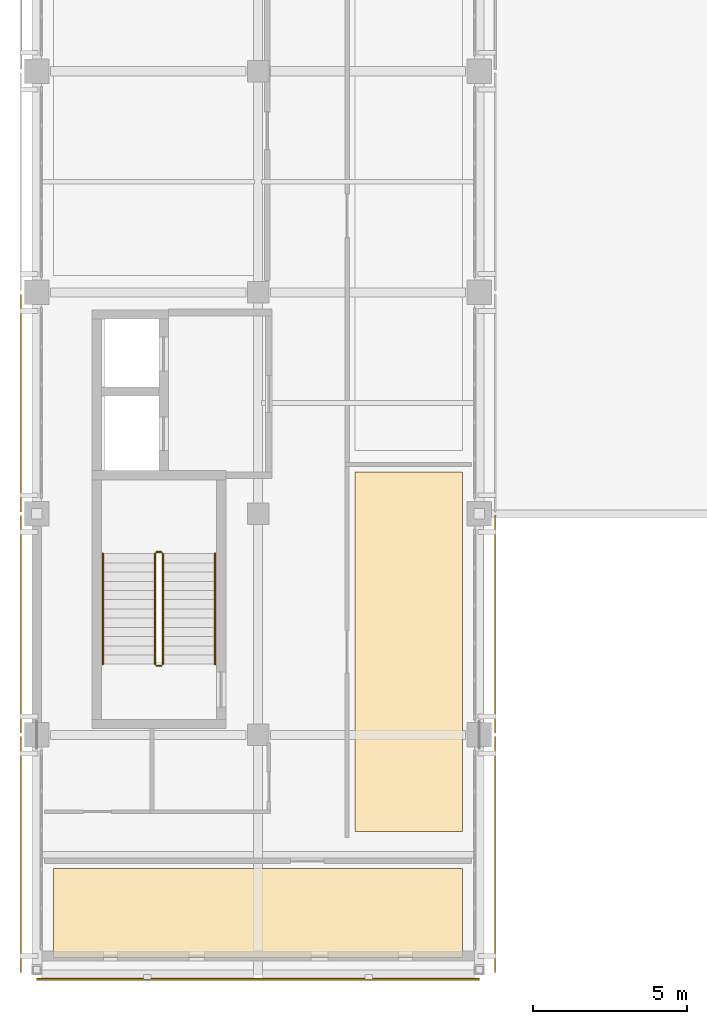
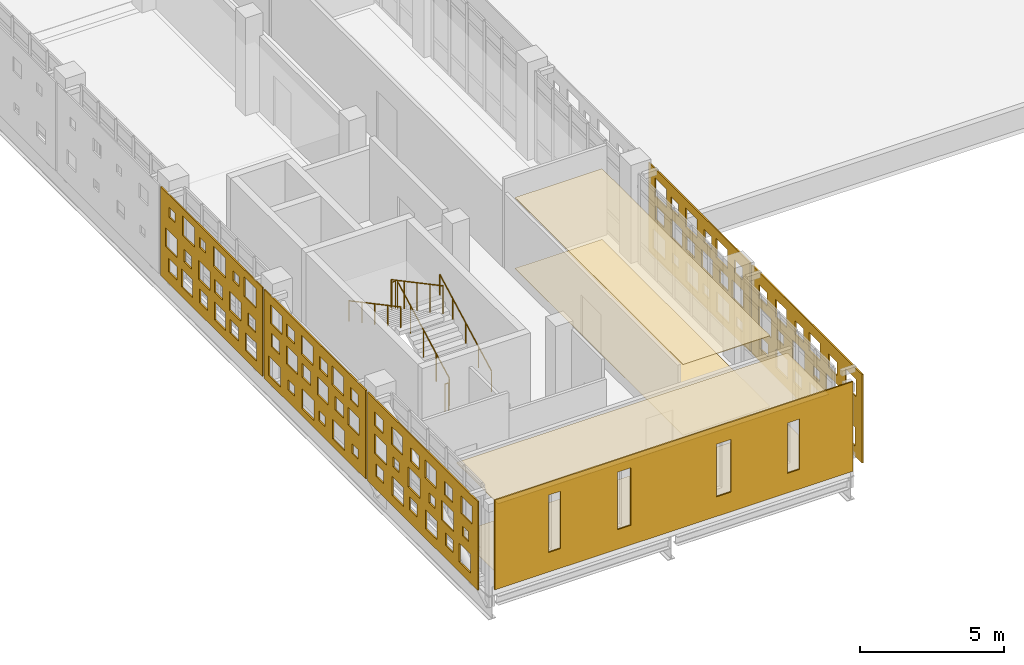
# One storey, part 46 of 51: 10 coverings, 6 railings.
"""IFC4 building model written with IfcOpenShell, lengths in metres."""

from ifc_helpers import new_model, si_unit, direction, frame, origin, origin_2d, place, context, subcontext, project, spatial, polyline, circle, outline, extrude, material, layer, layer_set, type_object, element, save


model = new_model("IFC4")

# Units and contexts
model_context = context("Model", 3, precision=1e-05, world=origin(), true_north=direction((0.0, 1.0)))
body_context = subcontext(model_context, "Body", "Model", "MODEL_VIEW")
ifc_project = project(units=[si_unit("LENGTHUNIT", "METRE"), si_unit("AREAUNIT", "SQUARE_METRE"), si_unit("VOLUMEUNIT", "CUBIC_METRE"), si_unit("PLANEANGLEUNIT", "RADIAN"), si_unit("MASSUNIT", "GRAM", prefix="KILO")], contexts=[model_context])

# Site, building, storey
site_placement = place(None, origin())
site = spatial("IfcSite", under=ifc_project, at=site_placement, CompositionType="ELEMENT")
building_placement = place(site_placement, origin())
building = spatial("IfcBuilding", under=site, at=building_placement, Name="Valkovuoma Quantum and Materials Research Institute", CompositionType="ELEMENT")
storey_placement = place(building_placement, frame((0.0, 0.0, 17.280029296875)))
storey = spatial("IfcBuildingStorey", under=building, at=storey_placement, Name="L04", CompositionType="ELEMENT", Elevation=17.280029296875)

# Coverings
ifc_material_1 = material(Name="Cleanable acoustic mineral-fibre suspended ceiling", Category="masonry")
ifc_layer_1 = layer(ifc_material_1, 0.02490234375)
ifc_layer_set_1 = layer_set([ifc_layer_1], Name="Cleanable acoustic mineral-fibre suspended ceiling")
covering_type_1 = type_object("IfcCoveringType", Name="Cov-CEIL-01", PredefinedType="CEILING", material=ifc_layer_set_1)
covering_1_placement = place(storey_placement, frame((0.0, 0.0, 3.0)))
element("IfcCovering", 1, at=covering_1_placement, inside=storey, type_object=covering_type_1, Name="L04 acoustic ceiling 0104", PredefinedType="CEILING", context=body_context, shape_type="SweptSolid", body=[
    extrude(outline(polyline([(0.550048828125, 21.550048828125), (13.85009765625, 21.550048828125), (13.85009765625, 24.449951171875), (0.550048828125, 24.449951171875), (0.550048828125, 21.550048828125)])), origin(), (0.0, 0.0, 1.0), 0.02490234375),
])
covering_2_placement = place(storey_placement, frame((0.0, 0.0, 3.0)))
element("IfcCovering", 2, at=covering_2_placement, inside=storey, type_object=covering_type_1, Name="L04 acoustic ceiling 0108", PredefinedType="CEILING", context=body_context, shape_type="SweptSolid", body=[
    extrude(outline(polyline([(10.35009765625, 25.64990234375), (13.85009765625, 25.64990234375), (13.85009765625, 37.35009765625), (10.35009765625, 37.35009765625), (10.35009765625, 25.64990234375)])), origin(), (0.0, 0.0, 1.0), 0.02490234375),
])
ifc_material_2 = material(Name="Seamless dissipative laboratory resin flooring", Category="masonry")
ifc_layer_2 = layer(ifc_material_2, 0.014892578125)
ifc_layer_set_2 = layer_set([ifc_layer_2], Name="Seamless dissipative laboratory resin flooring")
covering_type_2 = type_object("IfcCoveringType", Name="Cov-FLOR-01", PredefinedType="FLOORING", material=ifc_layer_set_2)
covering_3_placement = place(storey_placement, origin())
element("IfcCovering", 3, at=covering_3_placement, inside=storey, type_object=covering_type_2, Name="L04 resin flooring 0104", PredefinedType="FLOORING", context=body_context, shape_type="SweptSolid", body=[
    extrude(outline(polyline([(0.550048828125, 21.550048828125), (13.85009765625, 21.550048828125), (13.85009765625, 24.449951171875), (0.550048828125, 24.449951171875), (0.550048828125, 21.550048828125)])), origin(), (0.0, 0.0, 1.0), 0.014892578125),
])
covering_4_placement = place(storey_placement, origin())
element("IfcCovering", 4, at=covering_4_placement, inside=storey, type_object=covering_type_2, Name="L04 resin flooring 0108", PredefinedType="FLOORING", context=body_context, shape_type="SweptSolid", body=[
    extrude(outline(polyline([(10.35009765625, 25.64990234375), (13.85009765625, 25.64990234375), (13.85009765625, 37.35009765625), (10.35009765625, 37.35009765625), (10.35009765625, 25.64990234375)])), origin(), (0.0, 0.0, 1.0), 0.014892578125),
])
ifc_material_3 = material(Name="White powder-coated aluminium architectural panel", Category="aluminium")
ifc_layer_3 = layer(ifc_material_3, 0.054931640625)
ifc_layer_set_3 = layer_set([ifc_layer_3], Name="White powder-coated aluminium architectural panel")
covering_type_3 = type_object("IfcCoveringType", Name="Cov-PERF-DENSE", PredefinedType="CLADDING", material=ifc_layer_set_3)
covering_5_placement = place(storey_placement, frame((-0.52001953125, 21.06005859375, 0.02001953125), z_axis=(0.0, 0.0, 1.0), x_axis=(0.0, 1.0, 0.0)))
element("IfcCovering", 5, at=covering_5_placement, inside=storey, type_object=covering_type_3, Name="L04 graduated perforated white screen W-0037", PredefinedType="CLADDING", context=body_context, shape_type="SweptSolid", body=[
    extrude(outline(polyline([(0.0, 0.0), (7.679931640625, 0.0), (7.679931640625, 3.77001953125), (0.0, 3.77001953125), (0.0, 0.0)]), holes=[polyline([(0.50830078125, 0.425048828125), (0.50830078125, 1.22509765625), (1.308349609375, 1.22509765625), (1.308349609375, 0.425048828125), (0.50830078125, 0.425048828125)]), polyline([(0.63818359375, 1.675048828125), (0.63818359375, 2.094970703125), (1.058349609375, 2.094970703125), (1.058349609375, 1.675048828125), (0.63818359375, 1.675048828125)]), polyline([(0.408203125, 2.56494140625), (0.408203125, 3.324951171875), (1.168212890625, 3.324951171875), (1.168212890625, 2.56494140625), (0.408203125, 2.56494140625)]), polyline([(1.715087890625, 0.554931640625), (1.715087890625, 1.094970703125), (2.2548828125, 1.094970703125), (2.2548828125, 0.554931640625), (1.715087890625, 0.554931640625)]), polyline([(1.68505859375, 1.465087890625), (1.68505859375, 2.304931640625), (2.52490234375, 2.304931640625), (2.52490234375, 1.465087890625), (1.68505859375, 1.465087890625)]), polyline([(1.7548828125, 2.655029296875), (1.7548828125, 3.235107421875), (2.3349609375, 3.235107421875), (2.3349609375, 2.655029296875), (1.7548828125, 2.655029296875)]), polyline([(2.841796875, 0.425048828125), (2.841796875, 1.22509765625), (3.6416015625, 1.22509765625), (3.6416015625, 0.425048828125), (2.841796875, 0.425048828125)]), polyline([(2.9716796875, 1.675048828125), (2.9716796875, 2.094970703125), (3.3916015625, 2.094970703125), (3.3916015625, 1.675048828125), (2.9716796875, 1.675048828125)]), polyline([(2.921630859375, 2.56494140625), (2.921630859375, 3.324951171875), (3.681640625, 3.324951171875), (3.681640625, 2.56494140625), (2.921630859375, 2.56494140625)]), polyline([(4.228271484375, 0.554931640625), (4.228271484375, 1.094970703125), (4.768310546875, 1.094970703125), (4.768310546875, 0.554931640625), (4.228271484375, 0.554931640625)]), polyline([(4.018310546875, 1.465087890625), (4.018310546875, 2.304931640625), (4.8583984375, 2.304931640625), (4.8583984375, 1.465087890625), (4.018310546875, 1.465087890625)]), polyline([(4.08837890625, 2.655029296875), (4.08837890625, 3.235107421875), (4.668212890625, 3.235107421875), (4.668212890625, 2.655029296875), (4.08837890625, 2.655029296875)]), polyline([(5.175048828125, 0.425048828125), (5.175048828125, 1.22509765625), (5.97509765625, 1.22509765625), (5.97509765625, 0.425048828125), (5.175048828125, 0.425048828125)]), polyline([(5.485107421875, 1.675048828125), (5.485107421875, 2.094970703125), (5.905029296875, 2.094970703125), (5.905029296875, 1.675048828125), (5.485107421875, 1.675048828125)]), polyline([(5.2548828125, 2.56494140625), (5.2548828125, 3.324951171875), (6.014892578125, 3.324951171875), (6.014892578125, 2.56494140625), (5.2548828125, 2.56494140625)]), polyline([(6.561767578125, 0.554931640625), (6.561767578125, 1.094970703125), (7.101806640625, 1.094970703125), (7.101806640625, 0.554931640625), (6.561767578125, 0.554931640625)]), polyline([(6.351806640625, 1.465087890625), (6.351806640625, 2.304931640625), (7.191650390625, 2.304931640625), (7.191650390625, 1.465087890625), (6.351806640625, 1.465087890625)]), polyline([(6.601806640625, 2.655029296875), (6.601806640625, 3.235107421875), (7.181640625, 3.235107421875), (7.181640625, 2.655029296875), (6.601806640625, 2.655029296875)])]), frame((0.0, 0.02734375, 0.0), z_axis=(0.0, -1.0, 0.0), x_axis=(1.0, 0.0, 0.0)), (0.0, 0.0, 1.0), 0.054931640625),
])
covering_6_placement = place(storey_placement, frame((14.919921875, 21.06005859375, 0.02001953125), z_axis=(0.0, 0.0, 1.0), x_axis=(0.0, 1.0, 0.0)))
element("IfcCovering", 6, at=covering_6_placement, inside=storey, type_object=covering_type_3, Name="L04 graduated perforated white screen E-0038", PredefinedType="CLADDING", context=body_context, shape_type="SweptSolid", body=[
    extrude(outline(polyline([(0.0, 0.0), (7.679931640625, 0.0), (7.679931640625, 3.77001953125), (0.0, 3.77001953125), (0.0, 0.0)]), holes=[polyline([(0.50830078125, 0.425048828125), (0.50830078125, 1.22509765625), (1.308349609375, 1.22509765625), (1.308349609375, 0.425048828125), (0.50830078125, 0.425048828125)]), polyline([(0.63818359375, 1.675048828125), (0.63818359375, 2.094970703125), (1.058349609375, 2.094970703125), (1.058349609375, 1.675048828125), (0.63818359375, 1.675048828125)]), polyline([(0.408203125, 2.56494140625), (0.408203125, 3.324951171875), (1.168212890625, 3.324951171875), (1.168212890625, 2.56494140625), (0.408203125, 2.56494140625)]), polyline([(1.715087890625, 0.554931640625), (1.715087890625, 1.094970703125), (2.2548828125, 1.094970703125), (2.2548828125, 0.554931640625), (1.715087890625, 0.554931640625)]), polyline([(1.68505859375, 1.465087890625), (1.68505859375, 2.304931640625), (2.52490234375, 2.304931640625), (2.52490234375, 1.465087890625), (1.68505859375, 1.465087890625)]), polyline([(1.7548828125, 2.655029296875), (1.7548828125, 3.235107421875), (2.3349609375, 3.235107421875), (2.3349609375, 2.655029296875), (1.7548828125, 2.655029296875)]), polyline([(2.841796875, 0.425048828125), (2.841796875, 1.22509765625), (3.6416015625, 1.22509765625), (3.6416015625, 0.425048828125), (2.841796875, 0.425048828125)]), polyline([(2.9716796875, 1.675048828125), (2.9716796875, 2.094970703125), (3.3916015625, 2.094970703125), (3.3916015625, 1.675048828125), (2.9716796875, 1.675048828125)]), polyline([(2.921630859375, 2.56494140625), (2.921630859375, 3.324951171875), (3.681640625, 3.324951171875), (3.681640625, 2.56494140625), (2.921630859375, 2.56494140625)]), polyline([(4.228271484375, 0.554931640625), (4.228271484375, 1.094970703125), (4.768310546875, 1.094970703125), (4.768310546875, 0.554931640625), (4.228271484375, 0.554931640625)]), polyline([(4.018310546875, 1.465087890625), (4.018310546875, 2.304931640625), (4.8583984375, 2.304931640625), (4.8583984375, 1.465087890625), (4.018310546875, 1.465087890625)]), polyline([(4.08837890625, 2.655029296875), (4.08837890625, 3.235107421875), (4.668212890625, 3.235107421875), (4.668212890625, 2.655029296875), (4.08837890625, 2.655029296875)]), polyline([(5.175048828125, 0.425048828125), (5.175048828125, 1.22509765625), (5.97509765625, 1.22509765625), (5.97509765625, 0.425048828125), (5.175048828125, 0.425048828125)]), polyline([(5.485107421875, 1.675048828125), (5.485107421875, 2.094970703125), (5.905029296875, 2.094970703125), (5.905029296875, 1.675048828125), (5.485107421875, 1.675048828125)]), polyline([(5.2548828125, 2.56494140625), (5.2548828125, 3.324951171875), (6.014892578125, 3.324951171875), (6.014892578125, 2.56494140625), (5.2548828125, 2.56494140625)]), polyline([(6.561767578125, 0.554931640625), (6.561767578125, 1.094970703125), (7.101806640625, 1.094970703125), (7.101806640625, 0.554931640625), (6.561767578125, 0.554931640625)]), polyline([(6.351806640625, 1.465087890625), (6.351806640625, 2.304931640625), (7.191650390625, 2.304931640625), (7.191650390625, 1.465087890625), (6.351806640625, 1.465087890625)]), polyline([(6.601806640625, 2.655029296875), (6.601806640625, 3.235107421875), (7.181640625, 3.235107421875), (7.181640625, 2.655029296875), (6.601806640625, 2.655029296875)])]), frame((0.0, 0.02734375, 0.0), z_axis=(0.0, -1.0, 0.0), x_axis=(1.0, 0.0, 0.0)), (0.0, 0.0, 1.0), 0.054931640625),
])
covering_7_placement = place(storey_placement, frame((-0.52001953125, 28.860107421875, 0.02001953125), z_axis=(0.0, 0.0, 1.0), x_axis=(0.0, 1.0, 0.0)))
element("IfcCovering", 7, at=covering_7_placement, inside=storey, type_object=covering_type_3, Name="L04 graduated perforated white screen W-0039", PredefinedType="CLADDING", context=body_context, shape_type="SweptSolid", body=[
    extrude(outline(polyline([(0.0, 0.0), (7.079833984375, 0.0), (7.079833984375, 3.77001953125), (0.0, 3.77001953125), (0.0, 0.0)]), holes=[polyline([(0.5283203125, 0.514892578125), (0.5283203125, 0.93505859375), (0.9482421875, 0.93505859375), (0.9482421875, 0.514892578125), (0.5283203125, 0.514892578125)]), polyline([(0.478271484375, 1.554931640625), (0.478271484375, 2.31494140625), (1.23828125, 2.31494140625), (1.23828125, 1.554931640625), (0.478271484375, 1.554931640625)]), polyline([(0.5283203125, 2.72509765625), (0.5283203125, 3.264892578125), (1.068359375, 3.264892578125), (1.068359375, 2.72509765625), (0.5283203125, 2.72509765625)]), polyline([(1.47509765625, 0.304931640625), (1.47509765625, 1.14501953125), (2.31494140625, 1.14501953125), (2.31494140625, 0.304931640625), (1.47509765625, 0.304931640625)]), polyline([(1.544921875, 1.64501953125), (1.544921875, 2.22509765625), (2.125, 2.22509765625), (2.125, 1.64501953125), (1.544921875, 1.64501953125)]), polyline([(1.554931640625, 2.594970703125), (1.554931640625, 3.39501953125), (2.35498046875, 3.39501953125), (2.35498046875, 2.594970703125), (1.554931640625, 2.594970703125)]), polyline([(2.841796875, 0.514892578125), (2.841796875, 0.93505859375), (3.26171875, 0.93505859375), (3.26171875, 0.514892578125), (2.841796875, 0.514892578125)]), polyline([(2.61181640625, 1.554931640625), (2.61181640625, 2.31494140625), (3.37158203125, 2.31494140625), (3.37158203125, 1.554931640625), (2.61181640625, 1.554931640625)]), polyline([(2.66162109375, 2.72509765625), (2.66162109375, 3.264892578125), (3.20166015625, 3.264892578125), (3.20166015625, 2.72509765625), (2.66162109375, 2.72509765625)]), polyline([(3.6083984375, 0.304931640625), (3.6083984375, 1.14501953125), (4.4482421875, 1.14501953125), (4.4482421875, 0.304931640625), (3.6083984375, 0.304931640625)]), polyline([(3.8583984375, 1.64501953125), (3.8583984375, 2.22509765625), (4.438232421875, 2.22509765625), (4.438232421875, 1.64501953125), (3.8583984375, 1.64501953125)]), polyline([(3.688232421875, 2.594970703125), (3.688232421875, 3.39501953125), (4.48828125, 3.39501953125), (4.48828125, 2.594970703125), (3.688232421875, 2.594970703125)]), polyline([(4.97509765625, 0.514892578125), (4.97509765625, 0.93505859375), (5.39501953125, 0.93505859375), (5.39501953125, 0.514892578125), (4.97509765625, 0.514892578125)]), polyline([(4.7451171875, 1.554931640625), (4.7451171875, 2.31494140625), (5.5048828125, 2.31494140625), (5.5048828125, 1.554931640625), (4.7451171875, 1.554931640625)]), polyline([(4.97509765625, 2.72509765625), (4.97509765625, 3.264892578125), (5.514892578125, 3.264892578125), (5.514892578125, 2.72509765625), (4.97509765625, 2.72509765625)]), polyline([(5.921630859375, 0.304931640625), (5.921630859375, 1.14501953125), (6.76171875, 1.14501953125), (6.76171875, 0.304931640625), (5.921630859375, 0.304931640625)]), polyline([(5.99169921875, 1.64501953125), (5.99169921875, 2.22509765625), (6.57177734375, 2.22509765625), (6.57177734375, 1.64501953125), (5.99169921875, 1.64501953125)]), polyline([(5.82177734375, 2.594970703125), (5.82177734375, 3.39501953125), (6.62158203125, 3.39501953125), (6.62158203125, 2.594970703125), (5.82177734375, 2.594970703125)])]), frame((0.0, 0.02734375, 0.0), z_axis=(0.0, -1.0, 0.0), x_axis=(1.0, 0.0, 0.0)), (0.0, 0.0, 1.0), 0.054931640625),
])
covering_8_placement = place(storey_placement, frame((14.919921875, 28.860107421875, 0.02001953125), z_axis=(0.0, 0.0, 1.0), x_axis=(0.0, 1.0, 0.0)))
element("IfcCovering", 8, at=covering_8_placement, inside=storey, type_object=covering_type_3, Name="L04 graduated perforated white screen E-0040", PredefinedType="CLADDING", context=body_context, shape_type="SweptSolid", body=[
    extrude(outline(polyline([(0.0, 0.0), (7.079833984375, 0.0), (7.079833984375, 3.77001953125), (0.0, 3.77001953125), (0.0, 0.0)]), holes=[polyline([(0.5283203125, 0.514892578125), (0.5283203125, 0.93505859375), (0.9482421875, 0.93505859375), (0.9482421875, 0.514892578125), (0.5283203125, 0.514892578125)]), polyline([(0.478271484375, 1.554931640625), (0.478271484375, 2.31494140625), (1.23828125, 2.31494140625), (1.23828125, 1.554931640625), (0.478271484375, 1.554931640625)]), polyline([(0.5283203125, 2.72509765625), (0.5283203125, 3.264892578125), (1.068359375, 3.264892578125), (1.068359375, 2.72509765625), (0.5283203125, 2.72509765625)]), polyline([(1.47509765625, 0.304931640625), (1.47509765625, 1.14501953125), (2.31494140625, 1.14501953125), (2.31494140625, 0.304931640625), (1.47509765625, 0.304931640625)]), polyline([(1.544921875, 1.64501953125), (1.544921875, 2.22509765625), (2.125, 2.22509765625), (2.125, 1.64501953125), (1.544921875, 1.64501953125)]), polyline([(1.554931640625, 2.594970703125), (1.554931640625, 3.39501953125), (2.35498046875, 3.39501953125), (2.35498046875, 2.594970703125), (1.554931640625, 2.594970703125)]), polyline([(2.841796875, 0.514892578125), (2.841796875, 0.93505859375), (3.26171875, 0.93505859375), (3.26171875, 0.514892578125), (2.841796875, 0.514892578125)]), polyline([(2.61181640625, 1.554931640625), (2.61181640625, 2.31494140625), (3.37158203125, 2.31494140625), (3.37158203125, 1.554931640625), (2.61181640625, 1.554931640625)]), polyline([(2.66162109375, 2.72509765625), (2.66162109375, 3.264892578125), (3.20166015625, 3.264892578125), (3.20166015625, 2.72509765625), (2.66162109375, 2.72509765625)]), polyline([(3.6083984375, 0.304931640625), (3.6083984375, 1.14501953125), (4.4482421875, 1.14501953125), (4.4482421875, 0.304931640625), (3.6083984375, 0.304931640625)]), polyline([(3.8583984375, 1.64501953125), (3.8583984375, 2.22509765625), (4.438232421875, 2.22509765625), (4.438232421875, 1.64501953125), (3.8583984375, 1.64501953125)]), polyline([(3.688232421875, 2.594970703125), (3.688232421875, 3.39501953125), (4.48828125, 3.39501953125), (4.48828125, 2.594970703125), (3.688232421875, 2.594970703125)]), polyline([(4.97509765625, 0.514892578125), (4.97509765625, 0.93505859375), (5.39501953125, 0.93505859375), (5.39501953125, 0.514892578125), (4.97509765625, 0.514892578125)]), polyline([(4.7451171875, 1.554931640625), (4.7451171875, 2.31494140625), (5.5048828125, 2.31494140625), (5.5048828125, 1.554931640625), (4.7451171875, 1.554931640625)]), polyline([(4.97509765625, 2.72509765625), (4.97509765625, 3.264892578125), (5.514892578125, 3.264892578125), (5.514892578125, 2.72509765625), (4.97509765625, 2.72509765625)]), polyline([(5.921630859375, 0.304931640625), (5.921630859375, 1.14501953125), (6.76171875, 1.14501953125), (6.76171875, 0.304931640625), (5.921630859375, 0.304931640625)]), polyline([(5.99169921875, 1.64501953125), (5.99169921875, 2.22509765625), (6.57177734375, 2.22509765625), (6.57177734375, 1.64501953125), (5.99169921875, 1.64501953125)]), polyline([(5.82177734375, 2.594970703125), (5.82177734375, 3.39501953125), (6.62158203125, 3.39501953125), (6.62158203125, 2.594970703125), (5.82177734375, 2.594970703125)])]), frame((0.0, 0.02734375, 0.0), z_axis=(0.0, -1.0, 0.0), x_axis=(1.0, 0.0, 0.0)), (0.0, 0.0, 1.0), 0.054931640625),
])
covering_9_placement = place(storey_placement, frame((-0.52001953125, 36.06005859375, 0.02001953125), z_axis=(0.0, 0.0, 1.0), x_axis=(0.0, 1.0, 0.0)))
element("IfcCovering", 9, at=covering_9_placement, inside=storey, type_object=covering_type_3, Name="L04 graduated perforated white screen W-0041", PredefinedType="CLADDING", context=body_context, shape_type="SweptSolid", body=[
    extrude(outline(polyline([(0.0, 0.0), (7.079833984375, 0.0), (7.079833984375, 3.77001953125), (0.0, 3.77001953125), (0.0, 0.0)]), holes=[polyline([(0.418212890625, 0.39501953125), (0.418212890625, 1.155029296875), (1.17822265625, 1.155029296875), (1.17822265625, 0.39501953125), (0.418212890625, 0.39501953125)]), polyline([(0.46826171875, 1.56494140625), (0.46826171875, 2.10498046875), (1.00830078125, 2.10498046875), (1.00830078125, 1.56494140625), (0.46826171875, 1.56494140625)]), polyline([(0.438232421875, 2.625), (0.438232421875, 3.465087890625), (1.2783203125, 3.465087890625), (1.2783203125, 2.625), (0.438232421875, 2.625)]), polyline([(1.6650390625, 0.485107421875), (1.6650390625, 1.06494140625), (2.2451171875, 1.06494140625), (2.2451171875, 0.485107421875), (1.6650390625, 0.485107421875)]), polyline([(1.4951171875, 1.43505859375), (1.4951171875, 2.235107421875), (2.294921875, 2.235107421875), (2.294921875, 1.43505859375), (1.4951171875, 1.43505859375)]), polyline([(1.625, 2.8349609375), (1.625, 3.2548828125), (2.044921875, 3.2548828125), (2.044921875, 2.8349609375), (1.625, 2.8349609375)]), polyline([(2.5517578125, 0.39501953125), (2.5517578125, 1.155029296875), (3.311767578125, 1.155029296875), (3.311767578125, 0.39501953125), (2.5517578125, 0.39501953125)]), polyline([(2.78173828125, 1.56494140625), (2.78173828125, 2.10498046875), (3.32177734375, 2.10498046875), (3.32177734375, 1.56494140625), (2.78173828125, 1.56494140625)]), polyline([(2.57177734375, 2.625), (2.57177734375, 3.465087890625), (3.41162109375, 3.465087890625), (3.41162109375, 2.625), (2.57177734375, 2.625)]), polyline([(3.79833984375, 0.485107421875), (3.79833984375, 1.06494140625), (4.37841796875, 1.06494140625), (4.37841796875, 0.485107421875), (3.79833984375, 0.485107421875)]), polyline([(3.62841796875, 1.43505859375), (3.62841796875, 2.235107421875), (4.42822265625, 2.235107421875), (4.42822265625, 1.43505859375), (3.62841796875, 1.43505859375)]), polyline([(3.938232421875, 2.8349609375), (3.938232421875, 3.2548828125), (4.3583984375, 3.2548828125), (4.3583984375, 2.8349609375), (3.938232421875, 2.8349609375)]), polyline([(4.864990234375, 0.39501953125), (4.864990234375, 1.155029296875), (5.625, 1.155029296875), (5.625, 0.39501953125), (4.864990234375, 0.39501953125)]), polyline([(4.9150390625, 1.56494140625), (4.9150390625, 2.10498046875), (5.455078125, 2.10498046875), (5.455078125, 1.56494140625), (4.9150390625, 1.56494140625)]), polyline([(4.705078125, 2.625), (4.705078125, 3.465087890625), (5.544921875, 3.465087890625), (5.544921875, 2.625), (4.705078125, 2.625)]), polyline([(5.931640625, 0.485107421875), (5.931640625, 1.06494140625), (6.51171875, 1.06494140625), (6.51171875, 0.485107421875), (5.931640625, 0.485107421875)]), polyline([(5.941650390625, 1.43505859375), (5.941650390625, 2.235107421875), (6.74169921875, 2.235107421875), (6.74169921875, 1.43505859375), (5.941650390625, 1.43505859375)]), polyline([(6.07177734375, 2.8349609375), (6.07177734375, 3.2548828125), (6.49169921875, 3.2548828125), (6.49169921875, 2.8349609375), (6.07177734375, 2.8349609375)])]), frame((0.0, 0.02734375, 0.0), z_axis=(0.0, -1.0, 0.0), x_axis=(1.0, 0.0, 0.0)), (0.0, 0.0, 1.0), 0.054931640625),
])
ifc_material_4 = material(Name="White powder-coated aluminium architectural panel", Category="aluminium")
ifc_layer_4 = layer(ifc_material_4, 0.054931640625)
ifc_layer_set_4 = layer_set([ifc_layer_4], Name="White powder-coated aluminium architectural panel")
covering_type_4 = type_object("IfcCoveringType", Name="Cov-WHITE-01", PredefinedType="CLADDING", material=ifc_layer_set_4)
covering_10_placement = place(storey_placement, frame((0.0, 20.85009765625, 0.0), z_axis=(0.0, 0.0, 1.0), x_axis=(1.0, 0.0, 0.0)))
element("IfcCovering", 10, at=covering_10_placement, inside=storey, type_object=covering_type_4, Name="L04 south white slot-window end skin", PredefinedType="CLADDING", context=body_context, shape_type="SweptSolid", body=[
    extrude(outline(polyline([(0.0, 0.0), (14.39990234375, 0.0), (14.39990234375, 3.81005859375), (0.0, 3.81005859375), (0.0, 0.0)]), holes=[polyline([(2.155029296875, 0.830078125), (2.155029296875, 3.27001953125), (2.64501953125, 3.27001953125), (2.64501953125, 0.830078125), (2.155029296875, 0.830078125)]), polyline([(4.929931640625, 0.830078125), (4.929931640625, 3.27001953125), (5.469970703125, 3.27001953125), (5.469970703125, 0.830078125), (4.929931640625, 0.830078125)]), polyline([(8.905029296875, 0.830078125), (8.905029296875, 3.070068359375), (9.4951171875, 3.070068359375), (9.4951171875, 0.830078125), (8.905029296875, 0.830078125)]), polyline([(11.7548828125, 0.830078125), (11.7548828125, 2.969970703125), (12.2451171875, 2.969970703125), (12.2451171875, 0.830078125), (11.7548828125, 0.830078125)])]), frame((0.0, 0.02734375, 0.0), z_axis=(0.0, -1.0, 0.0), x_axis=(1.0, 0.0, 0.0)), (0.0, 0.0, 1.0), 0.054931640625),
])

# Railings
ifc_material_5 = material(Name="Painted steel stair balustrade", Category="steel")
railing_type_1 = type_object("IfcRailingType", Name="Rail-GRD-ST", PredefinedType="BALUSTRADE", material=ifc_material_5)
railing_1_placement = place(storey_placement, frame((4.10009765625, 31.10009765625, 0.159912109375)))
element("IfcRailing", 11, at=railing_1_placement, inside=storey, type_object=railing_type_1, Name="L04 ST-1 stair guard 1", PredefinedType="BALUSTRADE", context=body_context, shape_type="SweptSolid", body=[
    extrude(circle(Radius=0.02392578125, at=origin_2d()), frame((0.0, 0.0, 1.17578125), z_axis=(0.0, 0.882328093246, 0.470634822203), x_axis=(-1.0, 0.0, 0.0)), (0.0, 0.0, 1.0), 4.079833984375),
    extrude(circle(Radius=0.02099609375, at=origin_2d()), origin(), (0.0, 0.0, 1.0), 1.15185546875),
    extrude(circle(Radius=0.02099609375, at=origin_2d()), frame((0.0, 0.89990234375, 0.47998046875)), (0.0, 0.0, 1.0), 1.15185546875),
    extrude(circle(Radius=0.02099609375, at=origin_2d()), frame((0.0, 1.7998046875, 0.9599609375)), (0.0, 0.0, 1.0), 1.15185546875),
    extrude(circle(Radius=0.02099609375, at=origin_2d()), frame((0.0, 2.699951171875, 1.440185546875)), (0.0, 0.0, 1.0), 1.15185546875),
    extrude(circle(Radius=0.02099609375, at=origin_2d()), frame((0.0, 3.599853515625, 1.920166015625)), (0.0, 0.0, 1.0), 1.15185546875),
])
railing_2_placement = place(storey_placement, frame((4.050048828125, 34.75, 2.080078125)))
element("IfcRailing", 12, at=railing_2_placement, inside=storey, type_object=railing_type_1, Name="L04 ST-1 stair guard 2", PredefinedType="BALUSTRADE", context=body_context, shape_type="SweptSolid", body=[
    extrude(circle(Radius=0.02392578125, at=origin_2d()), frame((0.0, 0.0, 1.17578125), z_axis=(-1.0, 0.0, 0.0), x_axis=(0.0, -1.0, 0.0)), (0.0, 0.0, 1.0), 0.150146484375),
    extrude(circle(Radius=0.02099609375, at=origin_2d()), origin(), (0.0, 0.0, 1.0), 1.15185546875),
    extrude(circle(Radius=0.02099609375, at=origin_2d()), frame((-0.150146484375, 0.0, 0.0)), (0.0, 0.0, 1.0), 1.15185546875),
])
railing_3_placement = place(storey_placement, frame((3.85009765625, 34.699951171875, 2.239990234375)))
element("IfcRailing", 13, at=railing_3_placement, inside=storey, type_object=railing_type_1, Name="L04 ST-1 stair guard 3", PredefinedType="BALUSTRADE", context=body_context, shape_type="SweptSolid", body=[
    extrude(circle(Radius=0.02392578125, at=origin_2d()), frame((0.0, 0.0, 1.17578125), z_axis=(0.0, -0.882352941176, 0.470588235294), x_axis=(1.0, 0.0, 0.0)), (0.0, 0.0, 1.0), 4.079833984375),
    extrude(circle(Radius=0.02099609375, at=origin_2d()), origin(), (0.0, 0.0, 1.0), 1.15185546875),
    extrude(circle(Radius=0.02099609375, at=origin_2d()), frame((0.0, -0.89990234375, 0.47998046875)), (0.0, 0.0, 1.0), 1.15185546875),
    extrude(circle(Radius=0.02099609375, at=origin_2d()), frame((0.0, -1.7998046875, 0.9599609375)), (0.0, 0.0, 1.0), 1.15185546875),
    extrude(circle(Radius=0.02099609375, at=origin_2d()), frame((0.0, -2.699951171875, 1.43994140625)), (0.0, 0.0, 1.0), 1.15185546875),
    extrude(circle(Radius=0.02099609375, at=origin_2d()), frame((0.0, -3.599853515625, 1.919921875)), (0.0, 0.0, 1.0), 1.15185546875),
])
railing_4_placement = place(storey_placement, frame((4.050048828125, 31.050048828125, 0.0)))
element("IfcRailing", 14, at=railing_4_placement, inside=storey, type_object=railing_type_1, Name="L04 ST-1 stair guard 4", PredefinedType="BALUSTRADE", context=body_context, shape_type="SweptSolid", body=[
    extrude(circle(Radius=0.02392578125, at=origin_2d()), frame((0.0, 0.0, 1.17578125), z_axis=(-1.0, 0.0, 0.0), x_axis=(0.0, -1.0, 0.0)), (0.0, 0.0, 1.0), 0.150146484375),
    extrude(circle(Radius=0.02099609375, at=origin_2d()), origin(), (0.0, 0.0, 1.0), 1.15185546875),
    extrude(circle(Radius=0.02099609375, at=origin_2d()), frame((-0.150146484375, 0.0, 0.0)), (0.0, 0.0, 1.0), 1.15185546875),
])
ifc_material_6 = material(Name="Brushed stainless steel handrail", Category="steel")
railing_type_2 = type_object("IfcRailingType", Name="Rail-HR-ST", PredefinedType="HANDRAIL", material=ifc_material_6)
railing_5_placement = place(storey_placement, frame((5.800048828125, 31.10009765625, 0.159912109375)))
element("IfcRailing", 15, at=railing_5_placement, inside=storey, type_object=railing_type_2, Name="L04 ST-1 stair handrail 1", PredefinedType="HANDRAIL", context=body_context, shape_type="SweptSolid", body=[
    extrude(circle(Radius=0.02392578125, at=origin_2d()), frame((0.0, 0.0, 0.8759765625), z_axis=(0.0, 0.882328093246, 0.470634822203), x_axis=(-1.0, 0.0, 0.0)), (0.0, 0.0, 1.0), 4.079833984375),
    extrude(circle(Radius=0.02099609375, at=origin_2d()), origin(), (0.0, 0.0, 1.0), 0.851806640625),
    extrude(circle(Radius=0.02099609375, at=origin_2d()), frame((0.0, 0.89990234375, 0.47998046875)), (0.0, 0.0, 1.0), 0.851806640625),
    extrude(circle(Radius=0.02099609375, at=origin_2d()), frame((0.0, 1.7998046875, 0.9599609375)), (0.0, 0.0, 1.0), 0.851806640625),
    extrude(circle(Radius=0.02099609375, at=origin_2d()), frame((0.0, 2.699951171875, 1.440185546875)), (0.0, 0.0, 1.0), 0.851806640625),
    extrude(circle(Radius=0.02099609375, at=origin_2d()), frame((0.0, 3.599853515625, 1.920166015625)), (0.0, 0.0, 1.0), 0.851806640625),
])
railing_6_placement = place(storey_placement, frame((2.14990234375, 34.699951171875, 2.239990234375)))
element("IfcRailing", 16, at=railing_6_placement, inside=storey, type_object=railing_type_2, Name="L04 ST-1 stair handrail 2", PredefinedType="HANDRAIL", context=body_context, shape_type="SweptSolid", body=[
    extrude(circle(Radius=0.02392578125, at=origin_2d()), frame((0.0, 0.0, 0.8759765625), z_axis=(0.0, -0.882352941176, 0.470588235294), x_axis=(1.0, 0.0, 0.0)), (0.0, 0.0, 1.0), 4.079833984375),
    extrude(circle(Radius=0.02099609375, at=origin_2d()), origin(), (0.0, 0.0, 1.0), 0.851806640625),
    extrude(circle(Radius=0.02099609375, at=origin_2d()), frame((0.0, -0.89990234375, 0.47998046875)), (0.0, 0.0, 1.0), 0.851806640625),
    extrude(circle(Radius=0.02099609375, at=origin_2d()), frame((0.0, -1.7998046875, 0.9599609375)), (0.0, 0.0, 1.0), 0.851806640625),
    extrude(circle(Radius=0.02099609375, at=origin_2d()), frame((0.0, -2.699951171875, 1.43994140625)), (0.0, 0.0, 1.0), 0.851806640625),
    extrude(circle(Radius=0.02099609375, at=origin_2d()), frame((0.0, -3.599853515625, 1.919921875)), (0.0, 0.0, 1.0), 0.851806640625),
])

save(model, "model.ifc")
